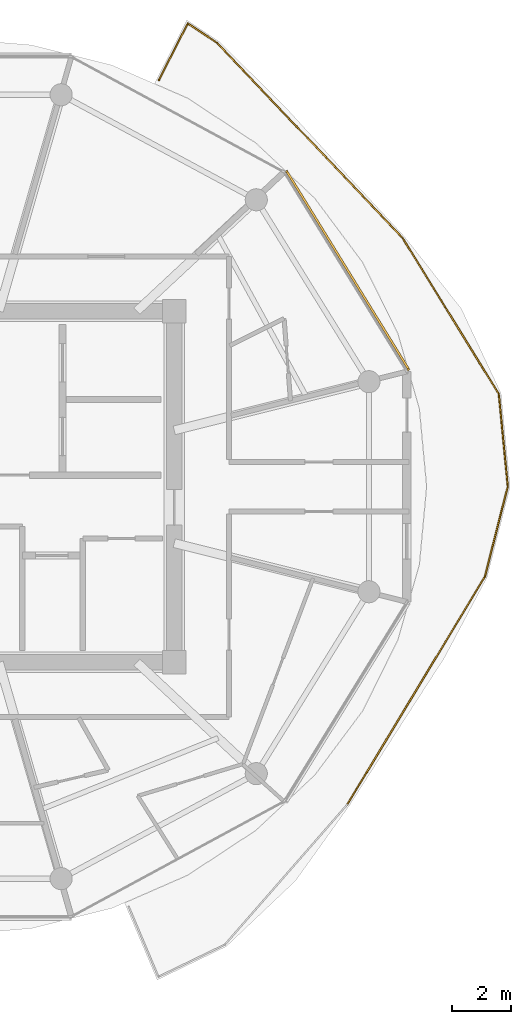
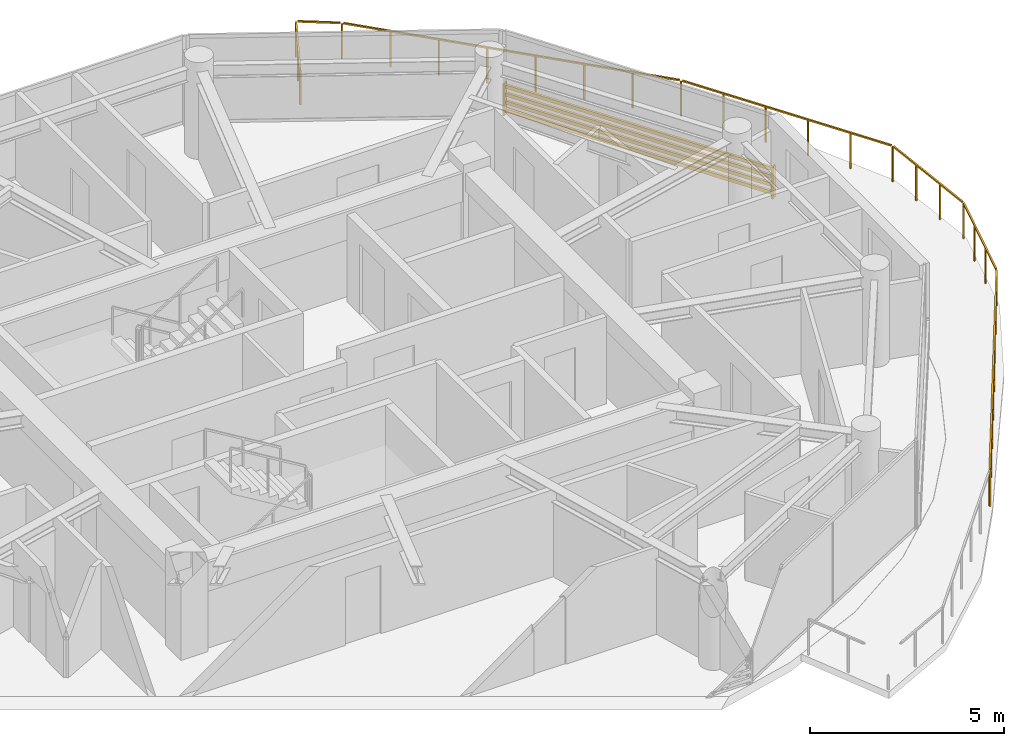
# One storey, part 24 of 24: 1 railing, 1 shading device.
"""IFC4 building model written with IfcOpenShell, lengths in metres."""

from ifc_helpers import new_model, si_unit, direction, frame, origin, origin_2d, place, context, subcontext, project, spatial, rectangle, extrude, source, transform, mapped, material, type_object, type_shapes, element, save


model = new_model("IFC4")

# Units and contexts
model_context = context("Model", 3, precision=1e-05, world=origin(), true_north=direction((0.0, 1.0)))
body_context = subcontext(model_context, "Body", "Model", "MODEL_VIEW")
ifc_project = project(units=[si_unit("LENGTHUNIT", "METRE"), si_unit("AREAUNIT", "SQUARE_METRE"), si_unit("VOLUMEUNIT", "CUBIC_METRE"), si_unit("PLANEANGLEUNIT", "RADIAN"), si_unit("MASSUNIT", "GRAM", prefix="KILO")], contexts=[model_context])

# Site, building, storey
site_placement = place(None, origin())
site = spatial("IfcSite", under=ifc_project, at=site_placement, CompositionType="ELEMENT")
building_placement = place(site_placement, origin())
building = spatial("IfcBuilding", under=site, at=building_placement, Name="Norrkilde Senior Care Towers", CompositionType="ELEMENT")
storey_placement = place(building_placement, frame((0.0, 0.0, 213.89990234375)))
storey = spatial("IfcBuildingStorey", under=building, at=storey_placement, Name="L66", CompositionType="ELEMENT", Elevation=213.89990234375)

# Railing
ifc_material_1 = material(Name="Anodised Aluminium", Category="aluminium")
railing_type = type_object("IfcRailingType", Name="Balcony Swirl Ribbon Guardrail 1150", PredefinedType="GUARDRAIL", material=ifc_material_1)
railing_placement = place(storey_placement, frame((35.130126953125, 13.784423828125, 0.0)))
element("IfcRailing", 1, at=railing_placement, inside=storey, type_object=railing_type, Name="L66 Perimeter Safety Guard 02", PredefinedType="GUARDRAIL", context=body_context, shape_type="SweptSolid", body=[
    extrude(rectangle(XDim=0.048095703125, YDim=0.048095703125, at=origin_2d()), frame((0.0, 0.0, 1.1259765625), z_axis=(0.45483083251, 0.890577853867, 0.0), x_axis=(-0.890577853867, 0.45483083251, 0.0)), (0.0, 0.0, 1.0), 2.1083984375),
    extrude(rectangle(XDim=0.048095703125, YDim=0.048095703125, at=origin_2d()), frame((1.01171875, 1.891357421875, 1.1259765625), z_axis=(0.833561469699, -0.552426715712, 0.0), x_axis=(0.552426715712, 0.833561469699, 0.0)), (0.0, 0.0, 1.0), 1.10888671875),
    extrude(rectangle(XDim=0.048095703125, YDim=0.048095703125, at=origin_2d()), frame((1.998046875, 1.226806640625, 1.1259765625), z_axis=(0.688951117963, -0.724807806979, 0.0), x_axis=(0.724807806979, 0.688951117963, 0.0)), (0.0, 0.0, 1.0), 9.048828125),
    extrude(rectangle(XDim=0.048095703125, YDim=0.048095703125, at=origin_2d()), frame((8.281982421875, -5.396484375, 1.1259765625), z_axis=(0.524863057715, -0.851186683781, 0.0), x_axis=(0.851186683781, 0.524863057715, 0.0)), (0.0, 0.0, 1.0), 6.125732421875),
    extrude(rectangle(XDim=0.048095703125, YDim=0.048095703125, at=origin_2d()), frame((11.5224609375, -10.68603515625, 1.1259765625), z_axis=(0.096331631185, -0.995349293883, 0.0), x_axis=(0.995349293883, 0.096331631185, 0.0)), (0.0, 0.0, 1.0), 3.06591796875),
    extrude(rectangle(XDim=0.048095703125, YDim=0.048095703125, at=origin_2d()), frame((11.811767578125, -13.81787109375, 1.1259765625), z_axis=(-0.246350588681, -0.969180781618, 0.0), x_axis=(0.969180781618, -0.246350588681, 0.0)), (0.0, 0.0, 1.0), 3.063720703125),
    extrude(rectangle(XDim=0.048095703125, YDim=0.048095703125, at=origin_2d()), frame((11.025634765625, -16.86181640625, 1.1259765625), z_axis=(-0.516792806836, -0.85611050385, 0.0), x_axis=(0.85611050385, -0.516792806836, 0.0)), (0.0, 0.0, 1.0), 8.986083984375),
    extrude(rectangle(XDim=0.0419921875, YDim=0.0419921875, at=origin_2d()), origin(), (0.0, 0.0, 1.0), 1.099853515625),
    extrude(rectangle(XDim=0.0419921875, YDim=0.0419921875, at=origin_2d()), frame((0.48876953125, 0.95703125, 0.0)), (0.0, 0.0, 1.0), 1.099853515625),
    extrude(rectangle(XDim=0.0419921875, YDim=0.0419921875, at=origin_2d()), frame((0.9775390625, 1.9140625, 0.0)), (0.0, 0.0, 1.0), 1.099853515625),
    extrude(rectangle(XDim=0.0419921875, YDim=0.0419921875, at=origin_2d()), frame((1.969970703125, 1.25634765625, 0.0)), (0.0, 0.0, 1.0), 1.099853515625),
    extrude(rectangle(XDim=0.0419921875, YDim=0.0419921875, at=origin_2d()), frame((2.86865234375, 0.31103515625, 0.0)), (0.0, 0.0, 1.0), 1.099853515625),
    extrude(rectangle(XDim=0.0419921875, YDim=0.0419921875, at=origin_2d()), frame((3.767333984375, -0.634521484375, 0.0)), (0.0, 0.0, 1.0), 1.099853515625),
    extrude(rectangle(XDim=0.0419921875, YDim=0.0419921875, at=origin_2d()), frame((4.666015625, -1.579833984375, 0.0)), (0.0, 0.0, 1.0), 1.099853515625),
    extrude(rectangle(XDim=0.0419921875, YDim=0.0419921875, at=origin_2d()), frame((5.564453125, -2.525390625, 0.0)), (0.0, 0.0, 1.0), 1.099853515625),
    extrude(rectangle(XDim=0.0419921875, YDim=0.0419921875, at=origin_2d()), frame((6.463134765625, -3.470703125, 0.0)), (0.0, 0.0, 1.0), 1.099853515625),
    extrude(rectangle(XDim=0.0419921875, YDim=0.0419921875, at=origin_2d()), frame((7.36181640625, -4.416259765625, 0.0)), (0.0, 0.0, 1.0), 1.099853515625),
    extrude(rectangle(XDim=0.0419921875, YDim=0.0419921875, at=origin_2d()), frame((8.260498046875, -5.361572265625, 0.0)), (0.0, 0.0, 1.0), 1.099853515625),
    extrude(rectangle(XDim=0.0419921875, YDim=0.0419921875, at=origin_2d()), frame((8.912109375, -6.418212890625, 0.0)), (0.0, 0.0, 1.0), 1.099853515625),
    extrude(rectangle(XDim=0.0419921875, YDim=0.0419921875, at=origin_2d()), frame((9.563720703125, -7.47509765625, 0.0)), (0.0, 0.0, 1.0), 1.099853515625),
    extrude(rectangle(XDim=0.0419921875, YDim=0.0419921875, at=origin_2d()), frame((10.21533203125, -8.53173828125, 0.0)), (0.0, 0.0, 1.0), 1.099853515625),
    extrude(rectangle(XDim=0.0419921875, YDim=0.0419921875, at=origin_2d()), frame((10.866943359375, -9.588623046875, 0.0)), (0.0, 0.0, 1.0), 1.099853515625),
    extrude(rectangle(XDim=0.0419921875, YDim=0.0419921875, at=origin_2d()), frame((11.5185546875, -10.645263671875, 0.0)), (0.0, 0.0, 1.0), 1.099853515625),
    extrude(rectangle(XDim=0.0419921875, YDim=0.0419921875, at=origin_2d()), frame((11.61962890625, -11.689697265625, 0.0)), (0.0, 0.0, 1.0), 1.099853515625),
    extrude(rectangle(XDim=0.0419921875, YDim=0.0419921875, at=origin_2d()), frame((11.720703125, -12.73388671875, 0.0)), (0.0, 0.0, 1.0), 1.099853515625),
    extrude(rectangle(XDim=0.0419921875, YDim=0.0419921875, at=origin_2d()), frame((11.82177734375, -13.7783203125, 0.0)), (0.0, 0.0, 1.0), 1.099853515625),
    extrude(rectangle(XDim=0.0419921875, YDim=0.0419921875, at=origin_2d()), frame((11.5634765625, -14.79443359375, 0.0)), (0.0, 0.0, 1.0), 1.099853515625),
    extrude(rectangle(XDim=0.0419921875, YDim=0.0419921875, at=origin_2d()), frame((11.30517578125, -15.810791015625, 0.0)), (0.0, 0.0, 1.0), 1.099853515625),
    extrude(rectangle(XDim=0.0419921875, YDim=0.0419921875, at=origin_2d()), frame((11.046875, -16.826904296875, 0.0)), (0.0, 0.0, 1.0), 1.099853515625),
    extrude(rectangle(XDim=0.0419921875, YDim=0.0419921875, at=origin_2d()), frame((10.38037109375, -17.930908203125, 0.0)), (0.0, 0.0, 1.0), 1.099853515625),
    extrude(rectangle(XDim=0.0419921875, YDim=0.0419921875, at=origin_2d()), frame((9.714111328125, -19.034912109375, 0.0)), (0.0, 0.0, 1.0), 1.099853515625),
    extrude(rectangle(XDim=0.0419921875, YDim=0.0419921875, at=origin_2d()), frame((9.047607421875, -20.138916015625, 0.0)), (0.0, 0.0, 1.0), 1.099853515625),
    extrude(rectangle(XDim=0.0419921875, YDim=0.0419921875, at=origin_2d()), frame((8.381103515625, -21.242919921875, 0.0)), (0.0, 0.0, 1.0), 1.099853515625),
    extrude(rectangle(XDim=0.0419921875, YDim=0.0419921875, at=origin_2d()), frame((7.714599609375, -22.346923828125, 0.0)), (0.0, 0.0, 1.0), 1.099853515625),
    extrude(rectangle(XDim=0.0419921875, YDim=0.0419921875, at=origin_2d()), frame((7.04833984375, -23.450927734375, 0.0)), (0.0, 0.0, 1.0), 1.099853515625),
    extrude(rectangle(XDim=0.0419921875, YDim=0.0419921875, at=origin_2d()), frame((6.3818359375, -24.554931640625, 0.0)), (0.0, 0.0, 1.0), 1.099853515625),
])

# Shading device
ifc_material_2 = material(Name="Architectural Terracotta", Category="masonry")
shading_device_type = type_object("IfcShadingDeviceType", Name="Horizontal Terracotta Baguette Rack", PredefinedType="USERDEFINED", material=ifc_material_2)
shared_shape = source(origin(), body_context, "Body", "SweptSolid", [
    extrude(rectangle(XDim=0.070068359375, YDim=0.110107421875, at=origin_2d()), frame((0.0, 0.090087890625, 0.125), z_axis=(1.0, 0.0, 0.0), x_axis=(0.0, 1.0, 0.0)), (0.0, 0.0, 1.0), 7.938232421875),
    extrude(rectangle(XDim=0.070068359375, YDim=0.110107421875, at=origin_2d()), frame((0.0, 0.090087890625, 0.375), z_axis=(1.0, 0.0, 0.0), x_axis=(0.0, 1.0, 0.0)), (0.0, 0.0, 1.0), 7.938232421875),
    extrude(rectangle(XDim=0.070068359375, YDim=0.110107421875, at=origin_2d()), frame((0.0, 0.090087890625, 0.625), z_axis=(1.0, 0.0, 0.0), x_axis=(0.0, 1.0, 0.0)), (0.0, 0.0, 1.0), 7.938232421875),
    extrude(rectangle(XDim=0.070068359375, YDim=0.110107421875, at=origin_2d()), frame((0.0, 0.090087890625, 0.875), z_axis=(1.0, 0.0, 0.0), x_axis=(0.0, 1.0, 0.0)), (0.0, 0.0, 1.0), 7.938232421875),
    extrude(rectangle(XDim=0.050048828125, YDim=0.1552734375, at=origin_2d()), frame((0.02490234375, 0.047607421875, 0.0)), (0.0, 0.0, 1.0), 1.0),
    extrude(rectangle(XDim=0.050048828125, YDim=0.1552734375, at=origin_2d()), frame((7.9130859375, 0.047607421875, 0.0)), (0.0, 0.0, 1.0), 1.0),
])
type_shapes(shading_device_type, [shared_shape])
shading_device_placement = place(storey_placement, frame((39.370361328125, 10.6630859375, 0.080078125), z_axis=(0.0, 0.0, 1.0), x_axis=(0.524250345994, -0.851576195602, 0.0)))
element("IfcShadingDevice", 2, at=shading_device_placement, inside=storey, type_object=shading_device_type, Name="L66 Drum E Terracotta Baguette Screen 00", ObjectType="BAGUETTE", PredefinedType="USERDEFINED", context=body_context, shape_type="MappedRepresentation", body=[
    mapped(shared_shape, transform((0.0, 0.0, 0.0), x_axis=(1.0, 0.0, 0.0), y_axis=(0.0, 1.0, 0.0), z_axis=(0.0, 0.0, 1.0), scale=1.0)),
])

save(model, "model.ifc")
